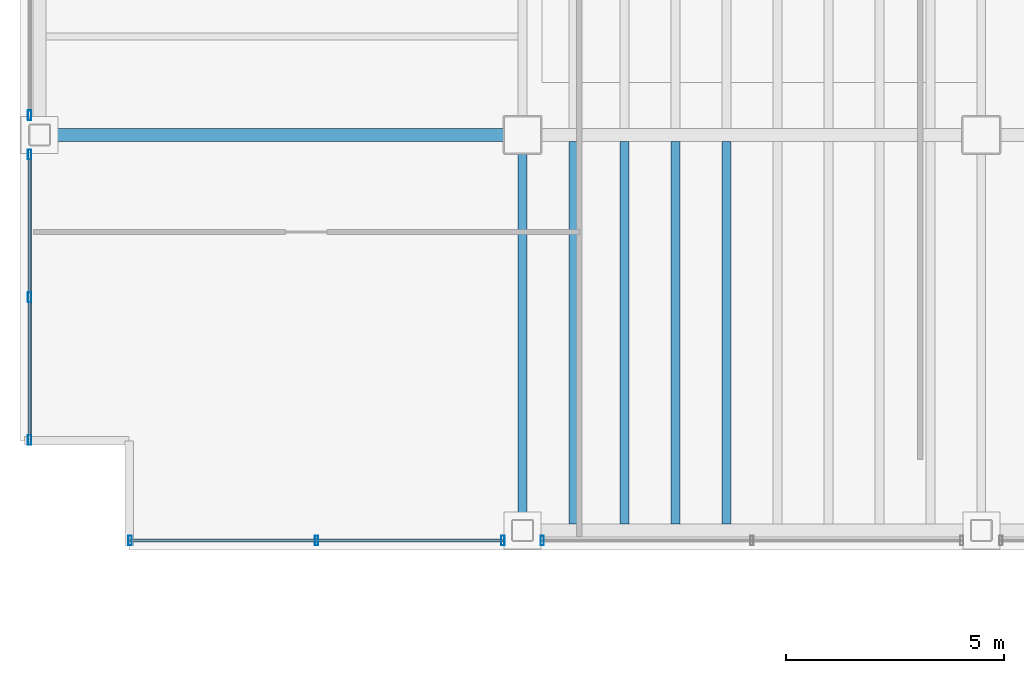
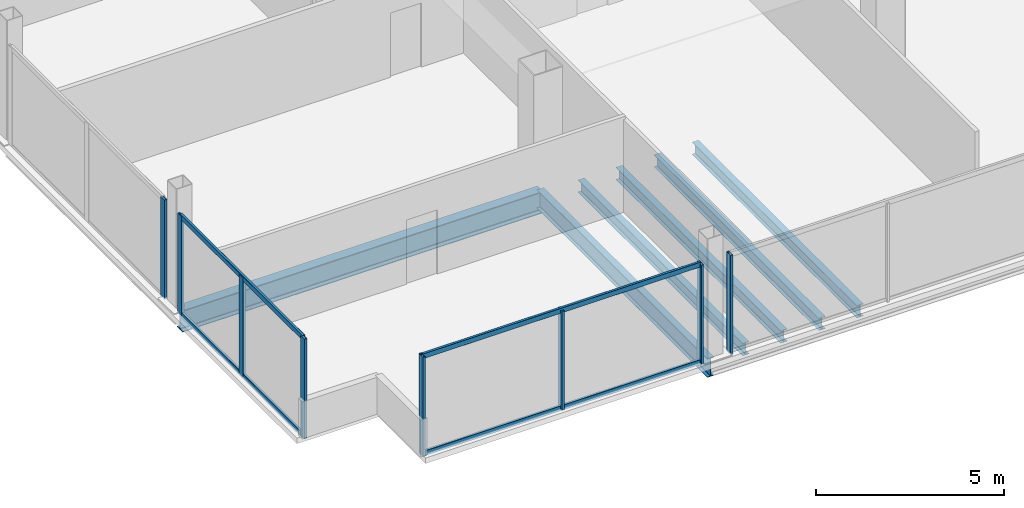
# One storey, part 2 of 20: 12 members, 6 beams, 4 elements without a shape of their own.
"""IFC4 building model written with IfcOpenShell, lengths in metres."""

from ifc_helpers import new_model, si_unit, direction, frame, origin, origin_2d, place, context, subcontext, project, spatial, hollow_rectangle, i_section, extrude, material, material_profile, profile_set, type_object, element, aggregate, save


model = new_model("IFC4")

# Units and contexts
model_context = context("Model", 3, precision=1e-05, world=origin(), true_north=direction((0.0, 1.0)))
body_context = subcontext(model_context, "Body", "Model", "MODEL_VIEW")
ifc_project = project(units=[si_unit("LENGTHUNIT", "METRE"), si_unit("AREAUNIT", "SQUARE_METRE"), si_unit("VOLUMEUNIT", "CUBIC_METRE"), si_unit("PLANEANGLEUNIT", "RADIAN"), si_unit("MASSUNIT", "GRAM", prefix="KILO")], contexts=[model_context])

# Site, building, storey
site_placement = place(None, origin())
site = spatial("IfcSite", under=ifc_project, at=site_placement, CompositionType="ELEMENT")
building_placement = place(site_placement, origin())
building = spatial("IfcBuilding", under=site, at=building_placement, Name="Noeulbin Bourse Tower", CompositionType="ELEMENT")
storey_placement = place(building_placement, frame((0.0, 0.0, 122.699951171875)))
storey = spatial("IfcBuildingStorey", under=building, at=storey_placement, Name="L30", CompositionType="ELEMENT", Elevation=122.699951171875)

# Beams
ifc_material_1 = material(Name="Steel S355", Category="steel")
ifc_material_profile_1 = material_profile(ifc_material_1, i_section(OverallWidth=0.199951171875, OverallDepth=0.60009765625, WebThickness=0.010986328125, FlangeThickness=0.01708984375, FilletRadius=0.02197265625, at=origin_2d()), Name="H-600x200x11x17", Category="LoadBearing")
ifc_profile_set_1 = profile_set([ifc_material_profile_1], Name="Steel S355")
beam_type_1 = type_object("IfcBeamType", Name="BM-GRD-600", PredefinedType="USERDEFINED", material=ifc_profile_set_1)
beam_1_placement = place(storey_placement, frame((13.5, 10.949951171875, -0.47998046875), z_axis=(0.0, 1.0, 0.0), x_axis=(-1.0, 0.0, 0.0)))
element("IfcBeam", 1, at=beam_1_placement, inside=storey, type_object=beam_type_1, Name="Tower Primary Girder NS L30-1.1", ObjectType="GIRDER", PredefinedType="USERDEFINED", context=body_context, shape_type="SweptSolid", body=[
    extrude(i_section(OverallWidth=0.199951171875, OverallDepth=0.60009765625, WebThickness=0.010986328125, FlangeThickness=0.01708984375, FilletRadius=0.02197265625, at=origin_2d()), origin(), (0.0, 0.0, 1.0), 9.050048828125),
])
ifc_material_profile_2 = material_profile(ifc_material_1, i_section(OverallWidth=0.300048828125, OverallDepth=0.699951171875, WebThickness=0.012939453125, FlangeThickness=0.02392578125, FilletRadius=0.02392578125, at=origin_2d()), Name="H-700x300x13x24", Category="LoadBearing")
ifc_profile_set_2 = profile_set([ifc_material_profile_2], Name="Steel S355")
beam_type_2 = type_object("IfcBeamType", Name="BM-GRD-700", PredefinedType="USERDEFINED", material=ifc_profile_set_2)
beam_2_placement = place(storey_placement, frame((2.449951171875, 20.0, -0.530029296875), z_axis=(1.0, 0.0, 0.0), x_axis=(0.0, 1.0, 0.0)))
element("IfcBeam", 2, at=beam_2_placement, inside=storey, type_object=beam_type_2, Name="Tower Primary Girder EW L30-1.1", ObjectType="GIRDER", PredefinedType="USERDEFINED", context=body_context, shape_type="SweptSolid", body=[
    extrude(i_section(OverallWidth=0.300048828125, OverallDepth=0.699951171875, WebThickness=0.012939453125, FlangeThickness=0.02392578125, FilletRadius=0.02392578125, at=origin_2d()), origin(), (0.0, 0.0, 1.0), 11.050048828125),
])
ifc_material_profile_3 = material_profile(ifc_material_1, i_section(OverallWidth=0.199951171875, OverallDepth=0.39990234375, WebThickness=0.008056640625, FlangeThickness=0.012939453125, FilletRadius=0.01611328125, at=origin_2d()), Name="H-400x200x8x13", Category="LoadBearing")
ifc_profile_set_3 = profile_set([ifc_material_profile_3], Name="Steel S355")
beam_type_3 = type_object("IfcBeamType", Name="BM-SEC-400", PredefinedType="BEAM", material=ifc_profile_set_3)
for number, where, z_axis, x_axis, name in (
    (3, (14.666748046875, 11.10009765625, -0.3798828125), (0.0, 1.0, 0.0), (-1.0, 0.0, 0.0), "Tower Composite Joist L30-01"),
    (4, (15.833251953125, 11.10009765625, -0.3798828125), (0.0, 1.0, 0.0), (-1.0, 0.0, 0.0), "Tower Composite Joist L30-03"),
    (5, (17.0, 11.10009765625, -0.3798828125), (0.0, 1.0, 0.0), (-1.0, 0.0, 0.0), "Tower Composite Joist L30-05"),
    (6, (18.166748046875, 11.10009765625, -0.3798828125), (0.0, 1.0, 0.0), (-1.0, 0.0, 0.0), "Tower Composite Joist L30-07"),
):
    element("IfcBeam", number, at=place(storey_placement, frame(where, z_axis=z_axis, x_axis=x_axis)), inside=storey, type_object=beam_type_3, Name=name, PredefinedType="BEAM", context=body_context, shape_type="SweptSolid", body=[
        extrude(i_section(OverallWidth=0.199951171875, OverallDepth=0.39990234375, WebThickness=0.008056640625, FlangeThickness=0.012939453125, FilletRadius=0.01611328125, at=origin_2d()), origin(), (0.0, 0.0, 1.0), 8.75),
    ])

# Curtain wall, members
ifc_material_2 = material(Name="Dark Tinted Triple Glazing", Category="glass")
curtain_wall_type = type_object("IfcCurtainWallType", Name="CW-SYS-3", PredefinedType="NOTDEFINED", material=ifc_material_2)
curtain_wall_1_placement = place(storey_placement, origin())
curtain_wall_1 = element("IfcCurtainWall", 7, at=curtain_wall_1_placement, inside=storey, type_object=curtain_wall_type, Name="Unitised Curtain Wall CW-L30-S1-S1", PredefinedType="NOTDEFINED")
ifc_material_3 = material(Name="Anodised Aluminium 6063-T6", Category="aluminium")
ifc_material_profile_4 = material_profile(ifc_material_3, hollow_rectangle(XDim=0.074951171875, YDim=0.219970703125, WallThickness=0.0048828125, InnerFilletRadius=0.00244140625, OuterFilletRadius=0.0048828125, at=origin_2d()), Name="ALU-MULL-75x220x5", Category="LoadBearing")
ifc_profile_set_4 = profile_set([ifc_material_profile_4], Name="Anodised Aluminium 6063-T6")
member_type_1 = type_object("IfcMemberType", Name="CW-SYS-3-MUL", PredefinedType="MULLION", material=ifc_profile_set_4)
member_1_placement = place(storey_placement, frame((4.52001953125, 10.719970703125, -0.02001953125), z_axis=(0.0, 0.0, 1.0), x_axis=(1.0, 0.0, 0.0)))
member_1 = element("IfcMember", 8, at=member_1_placement, type_object=member_type_1, Name="Curtain Wall Mullion CW-L30-S1-S1-M00", PredefinedType="MULLION", context=body_context, shape_type="SweptSolid", body=[
    extrude(hollow_rectangle(XDim=0.074951171875, YDim=0.219970703125, WallThickness=0.0048828125, InnerFilletRadius=0.00244140625, OuterFilletRadius=0.0048828125, at=origin_2d()), origin(), (0.0, 0.0, 1.0), 3.219970703125),
])
member_2_placement = place(storey_placement, frame((8.784912109375, 10.719970703125, -0.02001953125), z_axis=(0.0, 0.0, 1.0), x_axis=(1.0, 0.0, 0.0)))
member_2 = element("IfcMember", 9, at=member_2_placement, type_object=member_type_1, Name="Curtain Wall Mullion CW-L30-S1-S1-M01", PredefinedType="MULLION", context=body_context, shape_type="SweptSolid", body=[
    extrude(hollow_rectangle(XDim=0.074951171875, YDim=0.219970703125, WallThickness=0.0048828125, InnerFilletRadius=0.00244140625, OuterFilletRadius=0.0048828125, at=origin_2d()), origin(), (0.0, 0.0, 1.0), 3.219970703125),
])
member_3_placement = place(storey_placement, frame((13.050048828125, 10.719970703125, -0.02001953125), z_axis=(0.0, 0.0, 1.0), x_axis=(1.0, 0.0, 0.0)))
member_3 = element("IfcMember", 10, at=member_3_placement, type_object=member_type_1, Name="Curtain Wall Mullion CW-L30-S1-S1-M02", PredefinedType="MULLION", context=body_context, shape_type="SweptSolid", body=[
    extrude(hollow_rectangle(XDim=0.074951171875, YDim=0.219970703125, WallThickness=0.0048828125, InnerFilletRadius=0.00244140625, OuterFilletRadius=0.0048828125, at=origin_2d()), origin(), (0.0, 0.0, 1.0), 3.219970703125),
])

# Curtain wall, member
curtain_wall_2_placement = place(storey_placement, origin())
curtain_wall_2 = element("IfcCurtainWall", 11, at=curtain_wall_2_placement, inside=storey, type_object=curtain_wall_type, Name="Unitised Curtain Wall CW-L30-S1-S2", PredefinedType="NOTDEFINED")
member_4_placement = place(storey_placement, frame((13.949951171875, 10.719970703125, -0.02001953125), z_axis=(0.0, 0.0, 1.0), x_axis=(1.0, 0.0, 0.0)))
member_4 = element("IfcMember", 12, at=member_4_placement, type_object=member_type_1, Name="Curtain Wall Mullion CW-L30-S1-S2-M00", PredefinedType="MULLION", context=body_context, shape_type="SweptSolid", body=[
    extrude(hollow_rectangle(XDim=0.074951171875, YDim=0.219970703125, WallThickness=0.0048828125, InnerFilletRadius=0.00244140625, OuterFilletRadius=0.0048828125, at=origin_2d()), origin(), (0.0, 0.0, 1.0), 3.219970703125),
])
aggregate(curtain_wall_2, [member_4])

# Curtain wall, members
curtain_wall_3_placement = place(storey_placement, origin())
curtain_wall_3 = element("IfcCurtainWall", 13, at=curtain_wall_3_placement, inside=storey, type_object=curtain_wall_type, Name="Unitised Curtain Wall CW-L30-W-S1", PredefinedType="NOTDEFINED")
member_5_placement = place(storey_placement, frame((2.219970703125, 13.02001953125, -0.02001953125), z_axis=(0.0, 0.0, 1.0), x_axis=(1.0, 0.0, 0.0)))
member_5 = element("IfcMember", 14, at=member_5_placement, type_object=member_type_1, Name="Curtain Wall Mullion CW-L30-W-S1-M00", PredefinedType="MULLION", context=body_context, shape_type="SweptSolid", body=[
    extrude(hollow_rectangle(XDim=0.074951171875, YDim=0.219970703125, WallThickness=0.0048828125, InnerFilletRadius=0.00244140625, OuterFilletRadius=0.0048828125, at=origin_2d()), origin(), (0.0, 0.0, 1.0), 3.219970703125),
])
member_6_placement = place(storey_placement, frame((2.219970703125, 16.284912109375, -0.02001953125), z_axis=(0.0, 0.0, 1.0), x_axis=(1.0, 0.0, 0.0)))
member_6 = element("IfcMember", 15, at=member_6_placement, type_object=member_type_1, Name="Curtain Wall Mullion CW-L30-W-S1-M01", PredefinedType="MULLION", context=body_context, shape_type="SweptSolid", body=[
    extrude(hollow_rectangle(XDim=0.074951171875, YDim=0.219970703125, WallThickness=0.0048828125, InnerFilletRadius=0.00244140625, OuterFilletRadius=0.0048828125, at=origin_2d()), origin(), (0.0, 0.0, 1.0), 3.219970703125),
])
member_7_placement = place(storey_placement, frame((2.219970703125, 19.550048828125, -0.02001953125), z_axis=(0.0, 0.0, 1.0), x_axis=(1.0, 0.0, 0.0)))
member_7 = element("IfcMember", 16, at=member_7_placement, type_object=member_type_1, Name="Curtain Wall Mullion CW-L30-W-S1-M02", PredefinedType="MULLION", context=body_context, shape_type="SweptSolid", body=[
    extrude(hollow_rectangle(XDim=0.074951171875, YDim=0.219970703125, WallThickness=0.0048828125, InnerFilletRadius=0.00244140625, OuterFilletRadius=0.0048828125, at=origin_2d()), origin(), (0.0, 0.0, 1.0), 3.219970703125),
])

# Curtain wall, member
curtain_wall_4_placement = place(storey_placement, origin())
curtain_wall_4 = element("IfcCurtainWall", 17, at=curtain_wall_4_placement, inside=storey, type_object=curtain_wall_type, Name="Unitised Curtain Wall CW-L30-W-S2", PredefinedType="NOTDEFINED")
member_8_placement = place(storey_placement, frame((2.219970703125, 20.449951171875, -0.02001953125), z_axis=(0.0, 0.0, 1.0), x_axis=(1.0, 0.0, 0.0)))
member_8 = element("IfcMember", 18, at=member_8_placement, type_object=member_type_1, Name="Curtain Wall Mullion CW-L30-W-S2-M00", PredefinedType="MULLION", context=body_context, shape_type="SweptSolid", body=[
    extrude(hollow_rectangle(XDim=0.074951171875, YDim=0.219970703125, WallThickness=0.0048828125, InnerFilletRadius=0.00244140625, OuterFilletRadius=0.0048828125, at=origin_2d()), origin(), (0.0, 0.0, 1.0), 3.219970703125),
])
aggregate(curtain_wall_4, [member_8])

# Member
ifc_material_profile_5 = material_profile(ifc_material_3, hollow_rectangle(XDim=0.074951171875, YDim=0.159912109375, WallThickness=0.0048828125, InnerFilletRadius=0.00244140625, OuterFilletRadius=0.0048828125, at=origin_2d()), Name="ALU-TRAN-75x160x5", Category="LoadBearing")
ifc_profile_set_5 = profile_set([ifc_material_profile_5], Name="Anodised Aluminium 6063-T6")
member_type_2 = type_object("IfcMemberType", Name="CW-SYS-3-TRN", PredefinedType="USERDEFINED", material=ifc_profile_set_5)
member_9_placement = place(storey_placement, frame((4.530029296875, 10.719970703125, 0.010009765625), z_axis=(1.0, 0.0, 0.0), x_axis=(0.0, 1.0, 0.0)))
member_9 = element("IfcMember", 19, at=member_9_placement, type_object=member_type_2, Name="Curtain Wall Transom CW-L30-S1-S1-T00", ObjectType="TRANSOM", PredefinedType="USERDEFINED", context=body_context, shape_type="SweptSolid", body=[
    extrude(hollow_rectangle(XDim=0.074951171875, YDim=0.159912109375, WallThickness=0.0048828125, InnerFilletRadius=0.00244140625, OuterFilletRadius=0.0048828125, at=origin_2d()), origin(), (0.0, 0.0, 1.0), 8.510009765625),
])

member_10_placement = place(storey_placement, frame((4.530029296875, 10.719970703125, 3.170166015625), z_axis=(1.0, 0.0, 0.0), x_axis=(0.0, 1.0, 0.0)))
member_10 = element("IfcMember", 20, at=member_10_placement, type_object=member_type_2, Name="Curtain Wall Transom CW-L30-S1-S1-T01", ObjectType="TRANSOM", PredefinedType="USERDEFINED", context=body_context, shape_type="SweptSolid", body=[
    extrude(hollow_rectangle(XDim=0.074951171875, YDim=0.159912109375, WallThickness=0.0048828125, InnerFilletRadius=0.00244140625, OuterFilletRadius=0.0048828125, at=origin_2d()), origin(), (0.0, 0.0, 1.0), 8.510009765625),
])

aggregate(curtain_wall_1, [member_1, member_2, member_3, member_9, member_10])

member_11_placement = place(storey_placement, frame((2.219970703125, 13.030029296875, 0.010009765625), z_axis=(0.0, 1.0, 0.0), x_axis=(-1.0, 0.0, 0.0)))
member_11 = element("IfcMember", 21, at=member_11_placement, type_object=member_type_2, Name="Curtain Wall Transom CW-L30-W-S1-T00", ObjectType="TRANSOM", PredefinedType="USERDEFINED", context=body_context, shape_type="SweptSolid", body=[
    extrude(hollow_rectangle(XDim=0.074951171875, YDim=0.159912109375, WallThickness=0.0048828125, InnerFilletRadius=0.00244140625, OuterFilletRadius=0.0048828125, at=origin_2d()), origin(), (0.0, 0.0, 1.0), 6.510009765625),
])

member_12_placement = place(storey_placement, frame((2.219970703125, 13.030029296875, 3.170166015625), z_axis=(0.0, 1.0, 0.0), x_axis=(-1.0, 0.0, 0.0)))
member_12 = element("IfcMember", 22, at=member_12_placement, type_object=member_type_2, Name="Curtain Wall Transom CW-L30-W-S1-T01", ObjectType="TRANSOM", PredefinedType="USERDEFINED", context=body_context, shape_type="SweptSolid", body=[
    extrude(hollow_rectangle(XDim=0.074951171875, YDim=0.159912109375, WallThickness=0.0048828125, InnerFilletRadius=0.00244140625, OuterFilletRadius=0.0048828125, at=origin_2d()), origin(), (0.0, 0.0, 1.0), 6.510009765625),
])

aggregate(curtain_wall_3, [member_5, member_6, member_7, member_11, member_12])

save(model, "model.ifc")
